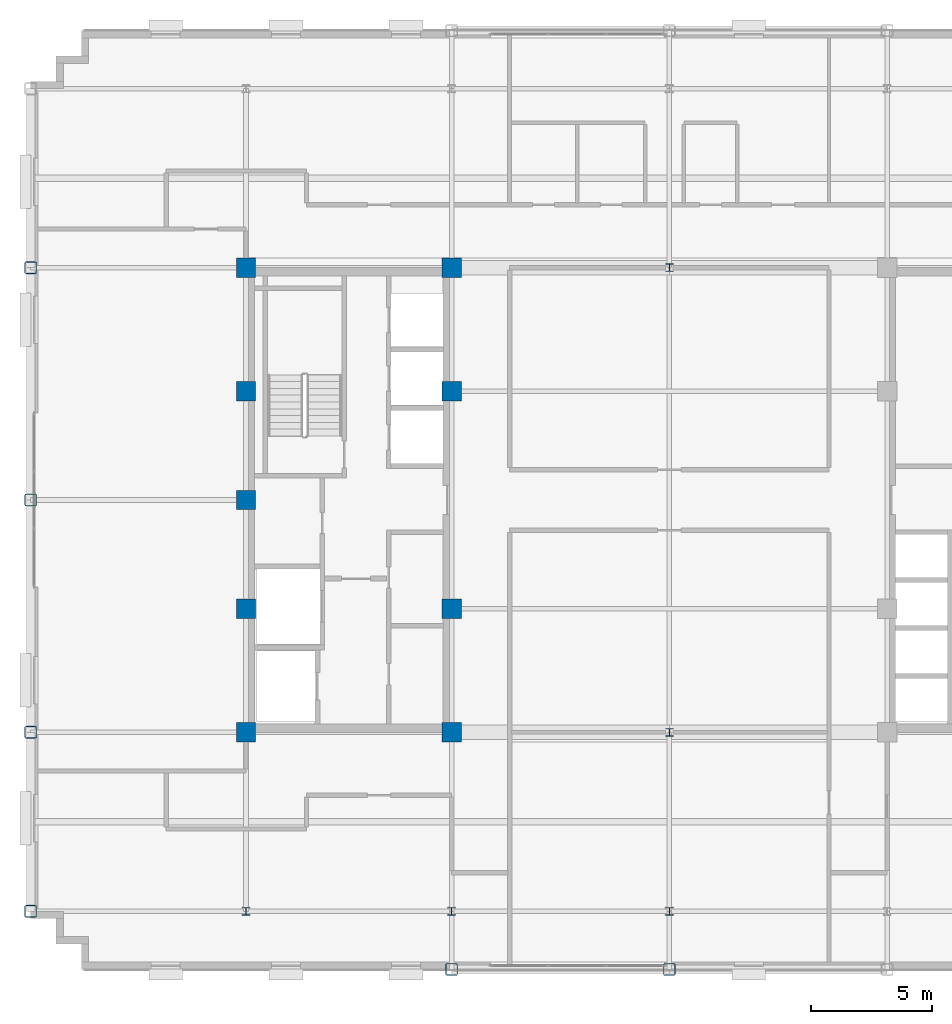
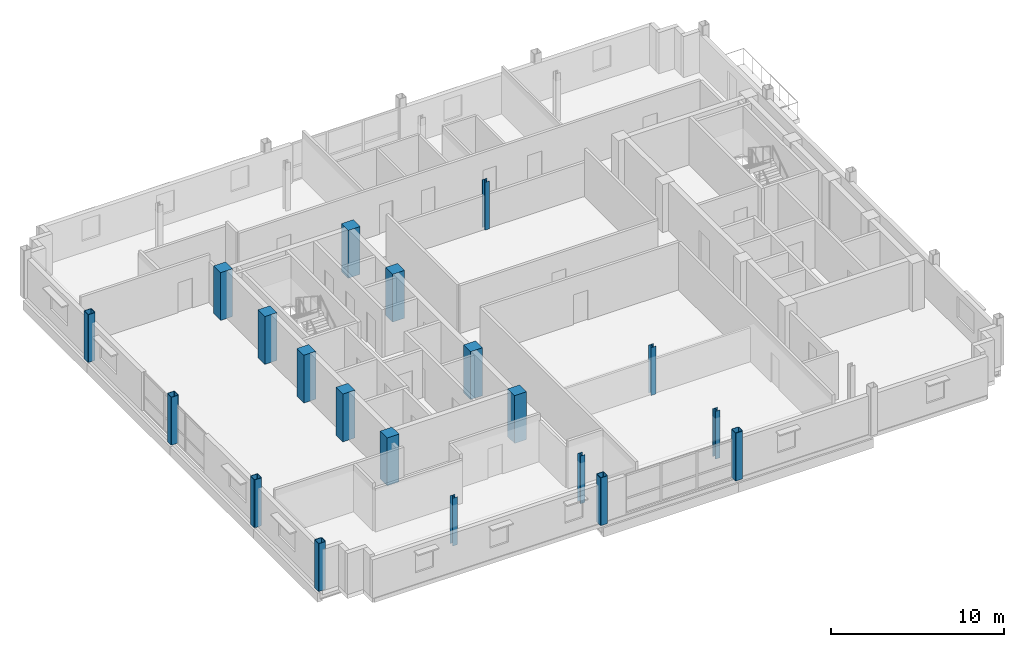
# One storey, part 1 of 16: 20 columns.
"""IFC4 building model written with IfcOpenShell, lengths in metres."""

from ifc_helpers import new_model, si_unit, direction, frame, origin, origin_2d, place, context, subcontext, project, spatial, rectangle, hollow_rectangle, i_section, extrude, material, material_profile, profile_set, type_object, element, save


model = new_model("IFC4")

# Units and contexts
model_context = context("Model", 3, precision=1e-05, world=origin(), true_north=direction((0.0, 1.0)))
body_context = subcontext(model_context, "Body", "Model", "MODEL_VIEW")
ifc_project = project(units=[si_unit("LENGTHUNIT", "METRE"), si_unit("AREAUNIT", "SQUARE_METRE"), si_unit("VOLUMEUNIT", "CUBIC_METRE"), si_unit("PLANEANGLEUNIT", "RADIAN"), si_unit("MASSUNIT", "GRAM", prefix="KILO")], contexts=[model_context])

# Site, building, storey
site_placement = place(None, origin())
site = spatial("IfcSite", under=ifc_project, at=site_placement, CompositionType="ELEMENT")
building_placement = place(site_placement, origin())
building = spatial("IfcBuilding", under=site, at=building_placement, Name="Nuvemarco Arch Tower", CompositionType="ELEMENT")
storey_placement = place(building_placement, frame((0.0, 0.0, 227.39990234375)))
storey = spatial("IfcBuildingStorey", under=building, at=storey_placement, Name="L60", CompositionType="ELEMENT", Elevation=227.39990234375)

# Columns
ifc_material_1 = material(Name="Concrete C50/60", Category="concrete")
ifc_material_profile_1 = material_profile(ifc_material_1, rectangle(XDim=0.800048828125, YDim=0.800048828125, at=origin_2d()), Name="RC-COL-800x800")
ifc_profile_set_1 = profile_set([ifc_material_profile_1], Name="Concrete C50/60")
column_type_1 = type_object("IfcColumnType", Name="COL-CORE-800", PredefinedType="COLUMN", material=ifc_profile_set_1)
for number, where, z_axis, x_axis, name in (
    (1, (-17.5, -9.60009765625, 0.0), (0.0, 0.0, 1.0), (1.0, 0.0, 0.0), "L60 column CC_-17.5_-9.6"),
    (2, (-17.5, -4.5, 0.0), (0.0, 0.0, 1.0), (1.0, 0.0, 0.0), "L60 column CC_-17.5_-4.5"),
    (3, (-17.5, 4.5, 0.0), (0.0, 0.0, 1.0), (1.0, 0.0, 0.0), "L60 column CC_-17.5_+4.5"),
    (4, (-17.5, 9.60009765625, 0.0), (0.0, 0.0, 1.0), (1.0, 0.0, 0.0), "L60 column CC_-17.5_+9.6"),
    (5, (-9.0, -9.60009765625, 0.0), (0.0, 0.0, 1.0), (1.0, 0.0, 0.0), "L60 column CC_-9.0_-9.6"),
    (6, (-9.0, -4.5, 0.0), (0.0, 0.0, 1.0), (1.0, 0.0, 0.0), "L60 column CC_-9.0_-4.5"),
    (7, (-9.0, 4.5, 0.0), (0.0, 0.0, 1.0), (1.0, 0.0, 0.0), "L60 column CC_-9.0_+4.5"),
    (8, (-9.0, 9.60009765625, 0.0), (0.0, 0.0, 1.0), (1.0, 0.0, 0.0), "L60 column CC_-9.0_+9.6"),
    (9, (-17.5, 0.0, 0.0), (0.0, 0.0, 1.0), (1.0, 0.0, 0.0), "L60 column CC_-17.5_+0.0"),
):
    element("IfcColumn", number, at=place(storey_placement, frame(where, z_axis=z_axis, x_axis=x_axis)), inside=storey, type_object=column_type_1, Name=name, PredefinedType="COLUMN", context=body_context, shape_type="SweptSolid", body=[
        extrude(rectangle(XDim=0.800048828125, YDim=0.800048828125, at=origin_2d()), origin(), (0.0, 0.0, 1.0), 3.3701171875),
    ])
ifc_material_2 = material(Name="Steel S355", Category="steel")
ifc_material_profile_2 = material_profile(ifc_material_2, hollow_rectangle(XDim=0.5, YDim=0.5, WallThickness=0.031982421875, InnerFilletRadius=0.031982421875, OuterFilletRadius=0.06396484375, at=origin_2d()), Name="SHS500x500x32")
ifc_profile_set_2 = profile_set([ifc_material_profile_2], Name="Steel S355")
column_type_2 = type_object("IfcColumnType", Name="COL-EXO-500", PredefinedType="COLUMN", material=ifc_profile_set_2)
for number, where, z_axis, x_axis, name in (
    (10, (-26.39990234375, -17.0, 0.0), (0.0, 0.0, 1.0), (1.0, 0.0, 0.0), "L60 column CX_-26.4_-17.0"),
    (11, (-26.39990234375, -9.60009765625, 0.0), (0.0, 0.0, 1.0), (1.0, 0.0, 0.0), "L60 column CX_-26.4_-9.6"),
    (12, (-26.39990234375, 0.0, 0.0), (0.0, 0.0, 1.0), (1.0, 0.0, 0.0), "L60 column CX_-26.4_+0.0"),
    (13, (-26.39990234375, 9.60009765625, 0.0), (0.0, 0.0, 1.0), (1.0, 0.0, 0.0), "L60 column CX_-26.4_+9.6"),
    (14, (-9.0, -19.39990234375, 0.0), (0.0, 0.0, 1.0), (1.0, 0.0, 0.0), "L60 column CY_-9.0_-19.4"),
    (15, (0.0, -19.39990234375, 0.0), (0.0, 0.0, 1.0), (1.0, 0.0, 0.0), "L60 column CY_+0.0_-19.4"),
):
    element("IfcColumn", number, at=place(storey_placement, frame(where, z_axis=z_axis, x_axis=x_axis)), inside=storey, type_object=column_type_2, Name=name, PredefinedType="COLUMN", context=body_context, shape_type="SweptSolid", body=[
        extrude(hollow_rectangle(XDim=0.5, YDim=0.5, WallThickness=0.031982421875, InnerFilletRadius=0.031982421875, OuterFilletRadius=0.06396484375, at=origin_2d()), origin(), (0.0, 0.0, 1.0), 3.3701171875),
    ])
ifc_material_profile_3 = material_profile(ifc_material_2, i_section(OverallWidth=0.31005859375, OverallDepth=0.31005859375, WebThickness=0.015380859375, FlangeThickness=0.015380859375, FilletRadius=0.014892578125, at=origin_2d()), Name="HP310x110")
ifc_profile_set_3 = profile_set([ifc_material_profile_3], Name="Steel S355")
column_type_3 = type_object("IfcColumnType", Name="COL-STL-HP310", PredefinedType="COLUMN", material=ifc_profile_set_3)
for number, where, z_axis, x_axis, name in (
    (16, (0.0, -17.0, 0.0), (0.0, 0.0, 1.0), (1.0, 0.0, 0.0), "L60 column CI_+0.0_-17.0"),
    (17, (0.0, -9.60009765625, 0.0), (0.0, 0.0, 1.0), (1.0, 0.0, 0.0), "L60 column CI_+0.0_-9.6"),
    (18, (0.0, 9.60009765625, 0.0), (0.0, 0.0, 1.0), (1.0, 0.0, 0.0), "L60 column CI_+0.0_+9.6"),
    (19, (-17.5, -17.0, 0.0), (0.0, 0.0, 1.0), (1.0, 0.0, 0.0), "L60 column CI_-17.5_-17.0"),
    (20, (-9.0, -17.0, 0.0), (0.0, 0.0, 1.0), (1.0, 0.0, 0.0), "L60 column CI_-9.0_-17.0"),
):
    element("IfcColumn", number, at=place(storey_placement, frame(where, z_axis=z_axis, x_axis=x_axis)), inside=storey, type_object=column_type_3, Name=name, PredefinedType="COLUMN", context=body_context, shape_type="SweptSolid", body=[
        extrude(i_section(OverallWidth=0.31005859375, OverallDepth=0.31005859375, WebThickness=0.015380859375, FlangeThickness=0.015380859375, FilletRadius=0.014892578125, at=origin_2d()), origin(), (0.0, 0.0, 1.0), 3.3701171875),
    ])

save(model, "model.ifc")
